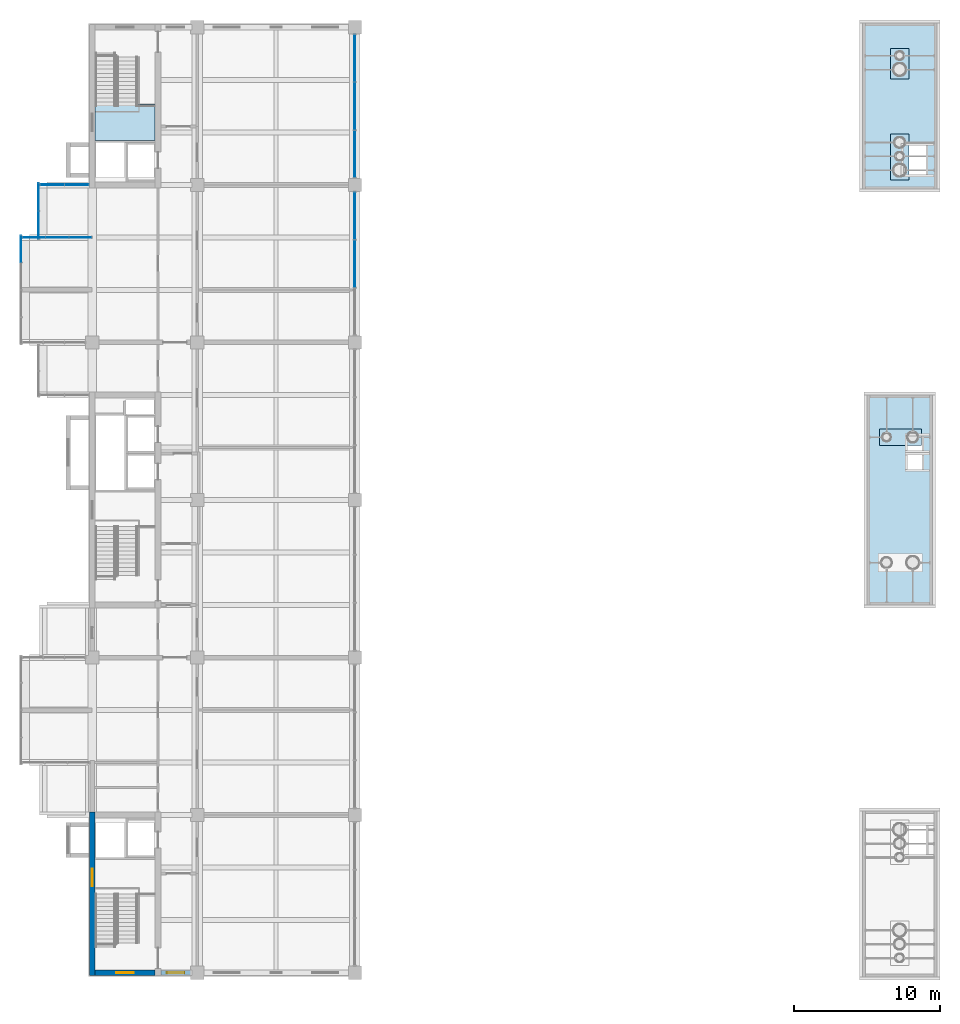
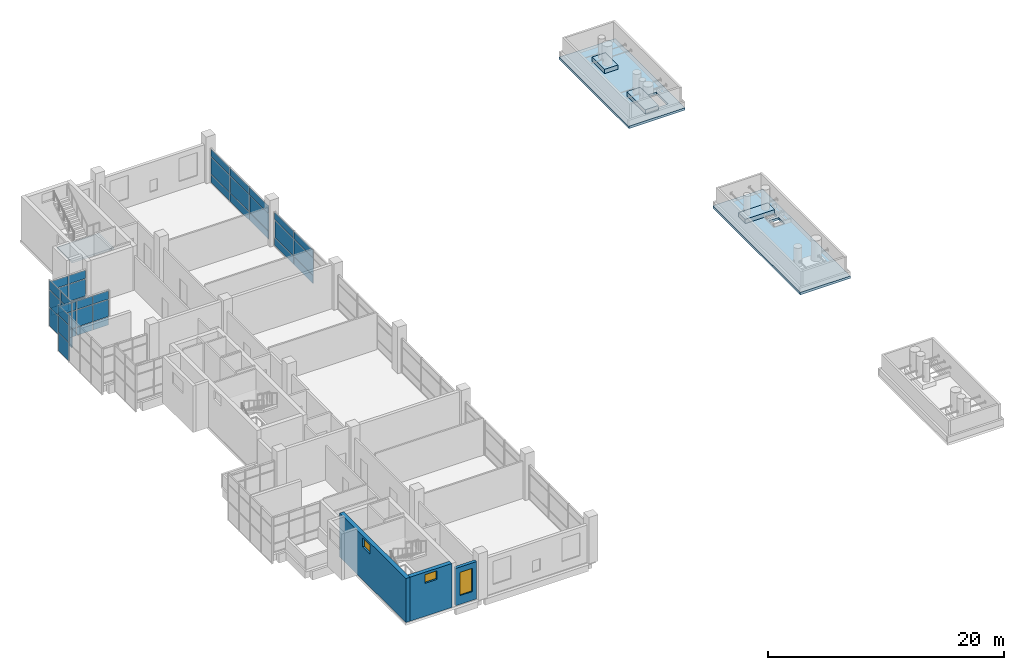
# One storey, part 13 of 22: 39 plates, 6 slabs, 3 walls, 3 windows, 3 openings, 7 elements without a shape of their own.
"""IFC4 building model written with IfcOpenShell, lengths in metres."""

from ifc_helpers import new_model, si_unit, direction, frame, frame_2d, origin, origin_2d, place, context, subcontext, project, spatial, polyline, rectangle, outline, extrude, material, layer, layer_set, type_object, element, fill, aggregate, save


model = new_model("IFC4")

# Units and contexts
model_context = context("Model", 3, precision=1e-05, world=origin(), true_north=direction((0.0, 1.0)))
body_context = subcontext(model_context, "Body", "Model", "MODEL_VIEW")
ifc_project = project(units=[si_unit("LENGTHUNIT", "METRE"), si_unit("AREAUNIT", "SQUARE_METRE"), si_unit("VOLUMEUNIT", "CUBIC_METRE"), si_unit("PLANEANGLEUNIT", "RADIAN"), si_unit("MASSUNIT", "GRAM", prefix="KILO")], contexts=[model_context])

# Site, building, storey
site_placement = place(None, origin())
site = spatial("IfcSite", under=ifc_project, at=site_placement, CompositionType="ELEMENT")
building_placement = place(site_placement, origin())
building = spatial("IfcBuilding", under=site, at=building_placement, Name="Basin Gate Institute", CompositionType="ELEMENT")
storey_placement = place(building_placement, frame((0.0, 0.0, 51.0)))
storey = spatial("IfcBuildingStorey", under=building, at=storey_placement, Name="L10", CompositionType="ELEMENT", Elevation=51.0)

# Slabs
ifc_material_1 = material(Name="Concrete 40 MPa", Category="concrete")
ifc_layer_1 = layer(ifc_material_1, 0.449951171875)
ifc_layer_set_1 = layer_set([ifc_layer_1], Name="Concrete 40 MPa")
slab_type_1 = type_object("IfcSlabType", Name="Exhaust pipe plinth PL4 R60", PredefinedType="ROOF", material=ifc_layer_set_1)
slab_1_placement = place(storey_placement, frame((0.0, 0.0, 0.25)))
element("IfcSlab", 1, at=slab_1_placement, inside=storey, type_object=slab_type_1, material=ifc_layer_set_1, Name="Exhaust pipe plinth PL4 EM 2", PredefinedType="ROOF", context=body_context, shape_type="SweptSolid", body=[
    extrude(outline(polyline([(115.14990234375, 71.22509765625), (118.02490234375, 71.22509765625), (118.02490234375, 72.375), (115.14990234375, 72.375), (115.14990234375, 71.22509765625)])), origin(), (0.0, 0.0, 1.0), 0.449951171875),
])
slab_2_placement = place(storey_placement, frame((0.0, 0.0, 0.25)))
element("IfcSlab", 2, at=slab_2_placement, inside=storey, type_object=slab_type_1, material=ifc_layer_set_1, Name="Exhaust pipe plinth PL4 EN 1", PredefinedType="ROOF", context=body_context, shape_type="SweptSolid", body=[
    extrude(outline(polyline([(115.89990234375, 89.449951171875), (117.199951171875, 89.449951171875), (117.199951171875, 92.574951171875), (115.89990234375, 92.574951171875), (115.89990234375, 89.449951171875)])), origin(), (0.0, 0.0, 1.0), 0.449951171875),
])
slab_3_placement = place(storey_placement, frame((0.0, 0.0, 0.25)))
element("IfcSlab", 3, at=slab_3_placement, inside=storey, type_object=slab_type_1, material=ifc_layer_set_1, Name="Exhaust pipe plinth PL4 EN 2", PredefinedType="ROOF", context=body_context, shape_type="SweptSolid", body=[
    extrude(outline(polyline([(115.89990234375, 96.35009765625), (117.199951171875, 96.35009765625), (117.199951171875, 98.449951171875), (115.89990234375, 98.449951171875), (115.89990234375, 96.35009765625)])), origin(), (0.0, 0.0, 1.0), 0.449951171875),
])

# Curtain wall, plates
ifc_material_2 = material(Name="Aluminium-framed glazing", Category="aluminium")
ifc_layer_2 = layer(ifc_material_2, 0.199951171875)
ifc_layer_set_2 = layer_set([ifc_layer_2], Name="Atrium curtain wall CW2")
curtain_wall_type_1 = type_object("IfcCurtainWallType", Name="Atrium curtain wall CW2", PredefinedType="NOTDEFINED", material=ifc_layer_set_2)
curtain_wall_1_placement = place(storey_placement, origin())
curtain_wall_1 = element("IfcCurtainWall", 4, at=curtain_wall_1_placement, inside=storey, type_object=curtain_wall_type_1, material=ifc_layer_set_2, Name="Atrium curtain wall W wing atrium bay 5 L10", PredefinedType="NOTDEFINED")
ifc_material_3 = material(Name="Aluminium insulated spandrel panel", Category="aluminium")
ifc_layer_3 = layer(ifc_material_3, 0.050048828125)
ifc_layer_set_3 = layer_set([ifc_layer_3], Name="Spandrel panel PN2")
plate_type_1 = type_object("IfcPlateType", Name="Spandrel panel PN2", PredefinedType="CURTAIN_PANEL", material=ifc_layer_set_3)
plate_1_placement = place(storey_placement, frame((79.199951171875, 83.699951171875, 0.06005859375), z_axis=(0.0, 0.0, 1.0), x_axis=(0.0, 1.0, 0.0)))
plate_1 = element("IfcPlate", 5, at=plate_1_placement, type_object=plate_type_1, material=ifc_layer_set_3, Name="CW2 spandrel panel 2.1", PredefinedType="CURTAIN_PANEL", context=body_context, shape_type="SweptSolid", body=[
    extrude(rectangle(XDim=3.239990234375, YDim=0.050048828125, at=origin_2d()), origin(), (0.0, 0.0, 1.0), 0.81005859375),
])
plate_2_placement = place(storey_placement, frame((79.199951171875, 83.699951171875, 2.72998046875), z_axis=(0.0, 0.0, 1.0), x_axis=(0.0, 1.0, 0.0)))
plate_2 = element("IfcPlate", 6, at=plate_2_placement, type_object=plate_type_1, material=ifc_layer_set_3, Name="CW2 spandrel panel 2.3", PredefinedType="CURTAIN_PANEL", context=body_context, shape_type="SweptSolid", body=[
    extrude(rectangle(XDim=3.239990234375, YDim=0.050048828125, at=origin_2d()), origin(), (0.0, 0.0, 1.0), 0.760009765625),
])
plate_3_placement = place(storey_placement, frame((79.199951171875, 86.985107421875, 0.06005859375), z_axis=(0.0, 0.0, 1.0), x_axis=(0.0, 1.0, 0.0)))
plate_3 = element("IfcPlate", 7, at=plate_3_placement, type_object=plate_type_1, material=ifc_layer_set_3, Name="CW2 spandrel panel 3.1", PredefinedType="CURTAIN_PANEL", context=body_context, shape_type="SweptSolid", body=[
    extrude(rectangle(XDim=3.2099609375, YDim=0.050048828125, at=origin_2d()), origin(), (0.0, 0.0, 1.0), 0.81005859375),
])
plate_4_placement = place(storey_placement, frame((79.199951171875, 86.985107421875, 2.72998046875), z_axis=(0.0, 0.0, 1.0), x_axis=(0.0, 1.0, 0.0)))
plate_4 = element("IfcPlate", 8, at=plate_4_placement, type_object=plate_type_1, material=ifc_layer_set_3, Name="CW2 spandrel panel 3.3", PredefinedType="CURTAIN_PANEL", context=body_context, shape_type="SweptSolid", body=[
    extrude(rectangle(XDim=3.2099609375, YDim=0.050048828125, at=origin_2d()), origin(), (0.0, 0.0, 1.0), 0.760009765625),
])

curtain_wall_2_placement = place(storey_placement, origin())
curtain_wall_2 = element("IfcCurtainWall", 9, at=curtain_wall_2_placement, inside=storey, type_object=curtain_wall_type_1, material=ifc_layer_set_2, Name="Atrium curtain wall W wing atrium bay 6 L10", PredefinedType="NOTDEFINED")
plate_5_placement = place(storey_placement, frame((79.199951171875, 91.215087890625, 0.06005859375), z_axis=(0.0, 0.0, 1.0), x_axis=(0.0, 1.0, 0.0)))
plate_5 = element("IfcPlate", 10, at=plate_5_placement, type_object=plate_type_1, material=ifc_layer_set_3, Name="CW2 spandrel panel 1.1", PredefinedType="CURTAIN_PANEL", context=body_context, shape_type="SweptSolid", body=[
    extrude(rectangle(XDim=3.2099609375, YDim=0.050048828125, at=origin_2d()), origin(), (0.0, 0.0, 1.0), 0.81005859375),
])
plate_6_placement = place(storey_placement, frame((79.199951171875, 91.215087890625, 2.72998046875), z_axis=(0.0, 0.0, 1.0), x_axis=(0.0, 1.0, 0.0)))
plate_6 = element("IfcPlate", 11, at=plate_6_placement, type_object=plate_type_1, material=ifc_layer_set_3, Name="CW2 spandrel panel 1.3", PredefinedType="CURTAIN_PANEL", context=body_context, shape_type="SweptSolid", body=[
    extrude(rectangle(XDim=3.2099609375, YDim=0.050048828125, at=origin_2d()), origin(), (0.0, 0.0, 1.0), 0.760009765625),
])
plate_7_placement = place(storey_placement, frame((79.199951171875, 94.5, 0.06005859375), z_axis=(0.0, 0.0, 1.0), x_axis=(0.0, 1.0, 0.0)))
plate_7 = element("IfcPlate", 12, at=plate_7_placement, type_object=plate_type_1, material=ifc_layer_set_3, Name="CW2 spandrel panel 2.1", PredefinedType="CURTAIN_PANEL", context=body_context, shape_type="SweptSolid", body=[
    extrude(rectangle(XDim=3.239990234375, YDim=0.050048828125, at=origin_2d()), origin(), (0.0, 0.0, 1.0), 0.81005859375),
])
plate_8_placement = place(storey_placement, frame((79.199951171875, 94.5, 2.72998046875), z_axis=(0.0, 0.0, 1.0), x_axis=(0.0, 1.0, 0.0)))
plate_8 = element("IfcPlate", 13, at=plate_8_placement, type_object=plate_type_1, material=ifc_layer_set_3, Name="CW2 spandrel panel 2.3", PredefinedType="CURTAIN_PANEL", context=body_context, shape_type="SweptSolid", body=[
    extrude(rectangle(XDim=3.239990234375, YDim=0.050048828125, at=origin_2d()), origin(), (0.0, 0.0, 1.0), 0.760009765625),
])
plate_9_placement = place(storey_placement, frame((79.199951171875, 97.784912109375, 0.06005859375), z_axis=(0.0, 0.0, 1.0), x_axis=(0.0, 1.0, 0.0)))
plate_9 = element("IfcPlate", 14, at=plate_9_placement, type_object=plate_type_1, material=ifc_layer_set_3, Name="CW2 spandrel panel 3.1", PredefinedType="CURTAIN_PANEL", context=body_context, shape_type="SweptSolid", body=[
    extrude(rectangle(XDim=3.2099609375, YDim=0.050048828125, at=origin_2d()), origin(), (0.0, 0.0, 1.0), 0.81005859375),
])
plate_10_placement = place(storey_placement, frame((79.199951171875, 97.784912109375, 2.72998046875), z_axis=(0.0, 0.0, 1.0), x_axis=(0.0, 1.0, 0.0)))
plate_10 = element("IfcPlate", 15, at=plate_10_placement, type_object=plate_type_1, material=ifc_layer_set_3, Name="CW2 spandrel panel 3.3", PredefinedType="CURTAIN_PANEL", context=body_context, shape_type="SweptSolid", body=[
    extrude(rectangle(XDim=3.2099609375, YDim=0.050048828125, at=origin_2d()), origin(), (0.0, 0.0, 1.0), 0.760009765625),
])

ifc_material_4 = material(Name="Aluminium-framed glazing", Category="aluminium")
ifc_layer_4 = layer(ifc_material_4, 0.14990234375)
ifc_layer_set_4 = layer_set([ifc_layer_4], Name="Capsule front curtain wall CW1")
curtain_wall_type_2 = type_object("IfcCurtainWallType", Name="Capsule front curtain wall CW1", PredefinedType="NOTDEFINED", material=ifc_layer_set_4)
curtain_wall_3_placement = place(storey_placement, origin())
curtain_wall_3 = element("IfcCurtainWall", 16, at=curtain_wall_3_placement, inside=storey, type_object=curtain_wall_type_2, material=ifc_layer_set_4, Name="Capsule front curtain wall W wing capsule end L10 line 15", PredefinedType="NOTDEFINED")
plate_11_placement = place(storey_placement, frame((57.21240234375, 85.5, 0.06005859375), z_axis=(0.0, 0.0, 1.0), x_axis=(1.0, 0.0, 0.0)))
plate_11 = element("IfcPlate", 17, at=plate_11_placement, type_object=plate_type_1, material=ifc_layer_set_3, Name="CW1 spandrel panel 1.1", PredefinedType="CURTAIN_PANEL", context=body_context, shape_type="SweptSolid", body=[
    extrude(rectangle(XDim=1.52490234375, YDim=0.050048828125, at=origin_2d()), origin(), (0.0, 0.0, 1.0), 0.81005859375),
])
plate_12_placement = place(storey_placement, frame((58.800048828125, 85.5, 0.06005859375), z_axis=(0.0, 0.0, 1.0), x_axis=(1.0, 0.0, 0.0)))
plate_12 = element("IfcPlate", 18, at=plate_12_placement, type_object=plate_type_1, material=ifc_layer_set_3, Name="CW1 spandrel panel 2.1", PredefinedType="CURTAIN_PANEL", context=body_context, shape_type="SweptSolid", body=[
    extrude(rectangle(XDim=1.550048828125, YDim=0.050048828125, at=origin_2d()), origin(), (0.0, 0.0, 1.0), 0.81005859375),
])
plate_13_placement = place(storey_placement, frame((60.387451171875, 85.5, 0.06005859375), z_axis=(0.0, 0.0, 1.0), x_axis=(1.0, 0.0, 0.0)))
plate_13 = element("IfcPlate", 19, at=plate_13_placement, type_object=plate_type_1, material=ifc_layer_set_3, Name="CW1 spandrel panel 3.1", PredefinedType="CURTAIN_PANEL", context=body_context, shape_type="SweptSolid", body=[
    extrude(rectangle(XDim=1.52490234375, YDim=0.050048828125, at=origin_2d()), origin(), (0.0, 0.0, 1.0), 0.81005859375),
])

curtain_wall_4_placement = place(storey_placement, origin())
curtain_wall_4 = element("IfcCurtainWall", 20, at=curtain_wall_4_placement, inside=storey, type_object=curtain_wall_type_2, material=ifc_layer_set_4, Name="Capsule front curtain wall W wing capsule end L10 line 16", PredefinedType="NOTDEFINED")
plate_14_placement = place(storey_placement, frame((58.46240234375, 89.10009765625, 0.06005859375), z_axis=(0.0, 0.0, 1.0), x_axis=(1.0, 0.0, 0.0)))
plate_14 = element("IfcPlate", 21, at=plate_14_placement, type_object=plate_type_1, material=ifc_layer_set_3, Name="CW1 spandrel panel 1.1", PredefinedType="CURTAIN_PANEL", context=body_context, shape_type="SweptSolid", body=[
    extrude(rectangle(XDim=1.625, YDim=0.050048828125, at=origin_2d()), origin(), (0.0, 0.0, 1.0), 0.81005859375),
])
plate_15_placement = place(storey_placement, frame((60.137451171875, 89.10009765625, 0.06005859375), z_axis=(0.0, 0.0, 1.0), x_axis=(1.0, 0.0, 0.0)))
plate_15 = element("IfcPlate", 22, at=plate_15_placement, type_object=plate_type_1, material=ifc_layer_set_3, Name="CW1 spandrel panel 2.1", PredefinedType="CURTAIN_PANEL", context=body_context, shape_type="SweptSolid", body=[
    extrude(rectangle(XDim=1.625, YDim=0.050048828125, at=origin_2d()), origin(), (0.0, 0.0, 1.0), 0.81005859375),
])

# Curtain wall, plate
curtain_wall_5_placement = place(storey_placement, origin())
curtain_wall_5 = element("IfcCurtainWall", 23, at=curtain_wall_5_placement, inside=storey, type_object=curtain_wall_type_2, material=ifc_layer_set_4, Name="Capsule front curtain wall W wing capsule 2 L10 front 2", PredefinedType="NOTDEFINED")
plate_16_placement = place(storey_placement, frame((56.324951171875, 84.699951171875, -0.990234375), z_axis=(0.0, 0.0, 1.0), x_axis=(0.0, 1.0, 0.0)))
plate_16 = element("IfcPlate", 24, at=plate_16_placement, type_object=plate_type_1, material=ifc_layer_set_3, Name="CW1 spandrel panel 4.1", PredefinedType="CURTAIN_PANEL", context=body_context, shape_type="SweptSolid", body=[
    extrude(rectangle(XDim=1.800048828125, YDim=0.050048828125, at=origin_2d()), origin(), (0.0, 0.0, 1.0), 1.860107421875),
])

# Curtain wall, plates
curtain_wall_6_placement = place(storey_placement, origin())
curtain_wall_6 = element("IfcCurtainWall", 25, at=curtain_wall_6_placement, inside=storey, type_object=curtain_wall_type_2, material=ifc_layer_set_4, Name="Capsule front curtain wall W wing capsule 2 L10 front 4", PredefinedType="NOTDEFINED")
plate_17_placement = place(storey_placement, frame((57.52490234375, 86.33740234375, -0.990234375), z_axis=(0.0, 0.0, 1.0), x_axis=(0.0, 1.0, 0.0)))
plate_17 = element("IfcPlate", 26, at=plate_17_placement, type_object=plate_type_1, material=ifc_layer_set_3, Name="CW1 spandrel panel 1.1", PredefinedType="CURTAIN_PANEL", context=body_context, shape_type="SweptSolid", body=[
    extrude(rectangle(XDim=1.875, YDim=0.050048828125, at=origin_2d()), origin(), (0.0, 0.0, 1.0), 1.860107421875),
])
plate_18_placement = place(storey_placement, frame((57.52490234375, 88.262451171875, -0.990234375), z_axis=(0.0, 0.0, 1.0), x_axis=(0.0, 1.0, 0.0)))
plate_18 = element("IfcPlate", 27, at=plate_18_placement, type_object=plate_type_1, material=ifc_layer_set_3, Name="CW1 spandrel panel 2.1", PredefinedType="CURTAIN_PANEL", context=body_context, shape_type="SweptSolid", body=[
    extrude(rectangle(XDim=1.875, YDim=0.050048828125, at=origin_2d()), origin(), (0.0, 0.0, 1.0), 1.860107421875),
])

# Slabs
ifc_material_5 = material(Name="Concrete 40 MPa", Category="concrete")
ifc_layer_5 = layer(ifc_material_5, 0.25)
ifc_layer_set_5 = layer_set([ifc_layer_5], Name="Concrete 40 MPa")
slab_type_2 = type_object("IfcSlabType", Name="Stack cap slab RS6 R60", PredefinedType="ROOF", material=ifc_layer_set_5)
slab_4_placement = place(storey_placement, origin())
element("IfcSlab", 28, at=slab_4_placement, inside=storey, type_object=slab_type_2, material=ifc_layer_set_5, Name="Stack cap slab RS6 EM", PredefinedType="ROOF", context=body_context, shape_type="SweptSolid", body=[
    extrude(outline(polyline([(119.0, 60.10009765625), (114.10009765625, 60.10009765625), (114.10009765625, 74.89990234375), (119.0, 74.89990234375), (119.0, 60.10009765625)]), holes=[polyline([(117.074951171875, 69.60009765625), (118.074951171875, 69.60009765625), (118.074951171875, 70.60009765625), (117.074951171875, 70.60009765625), (117.074951171875, 69.60009765625)]), polyline([(117.074951171875, 70.89990234375), (118.074951171875, 70.89990234375), (118.074951171875, 71.89990234375), (117.074951171875, 71.89990234375), (117.074951171875, 70.89990234375)])]), origin(), (0.0, 0.0, 1.0), 0.25),
])
slab_5_placement = place(storey_placement, origin())
element("IfcSlab", 29, at=slab_5_placement, inside=storey, type_object=slab_type_2, material=ifc_layer_set_5, Name="Stack cap slab RS6 EN", PredefinedType="ROOF", context=body_context, shape_type="SweptSolid", body=[
    extrude(outline(polyline([(119.300048828125, 88.60009765625), (113.800048828125, 88.60009765625), (113.800048828125, 100.39990234375), (119.300048828125, 100.39990234375), (119.300048828125, 88.60009765625)]), holes=[polyline([(116.800048828125, 89.800048828125), (118.35009765625, 89.800048828125), (118.35009765625, 91.800048828125), (116.800048828125, 91.800048828125), (116.800048828125, 89.800048828125)])]), origin(), (0.0, 0.0, 1.0), 0.25),
])

# Stair, slab
ifc_material_6 = material(Name="Concrete 40 MPa", Category="concrete")
stair_type = type_object("IfcStairType", Name="Stair ST", PredefinedType="HALF_TURN_STAIR", material=ifc_material_6)
stair_placement = place(storey_placement, origin())
stair = element("IfcStair", 30, at=stair_placement, inside=storey, type_object=stair_type, material=ifc_material_6, Name="Special safe stair ST-WN L10", PredefinedType="HALF_TURN_STAIR")
ifc_material_7 = material(Name="Concrete 40 MPa", Category="concrete")
ifc_layer_6 = layer(ifc_material_7, 0.199951171875)
ifc_layer_set_6 = layer_set([ifc_layer_6], Name="Concrete 40 MPa")
slab_type_3 = type_object("IfcSlabType", Name="Stair landing LN REI 120", PredefinedType="LANDING", material=ifc_layer_set_6)
slab_6_placement = place(storey_placement, frame((0.0, 0.0, 2.288818359375)))
slab_6 = element("IfcSlab", 31, at=slab_6_placement, type_object=slab_type_3, material=ifc_layer_set_6, Name="Stair landing ST-WN-L1 L10", PredefinedType="LANDING", context=body_context, shape_type="SweptSolid", body=[
    extrude(outline(polyline([(61.39990234375, 92.14990234375), (65.5, 92.14990234375), (65.5, 94.6298828125), (61.39990234375, 94.6298828125), (61.39990234375, 92.14990234375)])), origin(), (0.0, 0.0, 1.0), 0.199951171875),
])
aggregate(stair, [slab_6])

# Plate
ifc_material_8 = material(Name="Double glazed unit")
ifc_layer_7 = layer(ifc_material_8, 0.028076171875)
ifc_layer_set_7 = layer_set([ifc_layer_7], Name="Vision panel PN1")
plate_type_2 = type_object("IfcPlateType", Name="Vision panel PN1", PredefinedType="CURTAIN_PANEL", material=ifc_layer_set_7)
plate_19_placement = place(storey_placement, frame((79.199951171875, 83.699951171875, 0.93017578125), z_axis=(0.0, 0.0, 1.0), x_axis=(0.0, 1.0, 0.0)))
plate_19 = element("IfcPlate", 32, at=plate_19_placement, type_object=plate_type_2, material=ifc_layer_set_7, Name="CW2 vision panel 2.2", PredefinedType="CURTAIN_PANEL", context=body_context, shape_type="SweptSolid", body=[
    extrude(rectangle(XDim=3.239990234375, YDim=0.028076171875, at=origin_2d()), origin(), (0.0, 0.0, 1.0), 1.739990234375),
])

plate_20_placement = place(storey_placement, frame((79.199951171875, 86.985107421875, 0.93017578125), z_axis=(0.0, 0.0, 1.0), x_axis=(0.0, 1.0, 0.0)))
plate_20 = element("IfcPlate", 33, at=plate_20_placement, type_object=plate_type_2, material=ifc_layer_set_7, Name="CW2 vision panel 3.2", PredefinedType="CURTAIN_PANEL", context=body_context, shape_type="SweptSolid", body=[
    extrude(rectangle(XDim=3.2099609375, YDim=0.028076171875, at=origin_2d()), origin(), (0.0, 0.0, 1.0), 1.739990234375),
])

aggregate(curtain_wall_1, [plate_1, plate_19, plate_2, plate_3, plate_20, plate_4])

plate_21_placement = place(storey_placement, frame((79.199951171875, 91.215087890625, 0.93017578125), z_axis=(0.0, 0.0, 1.0), x_axis=(0.0, 1.0, 0.0)))
plate_21 = element("IfcPlate", 34, at=plate_21_placement, type_object=plate_type_2, material=ifc_layer_set_7, Name="CW2 vision panel 1.2", PredefinedType="CURTAIN_PANEL", context=body_context, shape_type="SweptSolid", body=[
    extrude(rectangle(XDim=3.2099609375, YDim=0.028076171875, at=origin_2d()), origin(), (0.0, 0.0, 1.0), 1.739990234375),
])

plate_22_placement = place(storey_placement, frame((79.199951171875, 94.5, 0.93017578125), z_axis=(0.0, 0.0, 1.0), x_axis=(0.0, 1.0, 0.0)))
plate_22 = element("IfcPlate", 35, at=plate_22_placement, type_object=plate_type_2, material=ifc_layer_set_7, Name="CW2 vision panel 2.2", PredefinedType="CURTAIN_PANEL", context=body_context, shape_type="SweptSolid", body=[
    extrude(rectangle(XDim=3.239990234375, YDim=0.028076171875, at=origin_2d()), origin(), (0.0, 0.0, 1.0), 1.739990234375),
])

plate_23_placement = place(storey_placement, frame((79.199951171875, 97.784912109375, 0.93017578125), z_axis=(0.0, 0.0, 1.0), x_axis=(0.0, 1.0, 0.0)))
plate_23 = element("IfcPlate", 36, at=plate_23_placement, type_object=plate_type_2, material=ifc_layer_set_7, Name="CW2 vision panel 3.2", PredefinedType="CURTAIN_PANEL", context=body_context, shape_type="SweptSolid", body=[
    extrude(rectangle(XDim=3.2099609375, YDim=0.028076171875, at=origin_2d()), origin(), (0.0, 0.0, 1.0), 1.739990234375),
])

aggregate(curtain_wall_2, [plate_5, plate_21, plate_6, plate_7, plate_22, plate_8, plate_9, plate_23, plate_10])

plate_24_placement = place(storey_placement, frame((57.21240234375, 85.5, 0.93017578125), z_axis=(0.0, 0.0, 1.0), x_axis=(1.0, 0.0, 0.0)))
plate_24 = element("IfcPlate", 37, at=plate_24_placement, type_object=plate_type_2, material=ifc_layer_set_7, Name="CW1 vision panel 1.2", PredefinedType="CURTAIN_PANEL", context=body_context, shape_type="SweptSolid", body=[
    extrude(rectangle(XDim=1.52490234375, YDim=0.028076171875, at=origin_2d()), origin(), (0.0, 0.0, 1.0), 1.739990234375),
])

plate_25_placement = place(storey_placement, frame((57.21240234375, 85.5, 2.72998046875), z_axis=(0.0, 0.0, 1.0), x_axis=(1.0, 0.0, 0.0)))
plate_25 = element("IfcPlate", 38, at=plate_25_placement, type_object=plate_type_2, material=ifc_layer_set_7, Name="CW1 vision panel 1.3", PredefinedType="CURTAIN_PANEL", context=body_context, shape_type="SweptSolid", body=[
    extrude(rectangle(XDim=1.52490234375, YDim=0.028076171875, at=origin_2d()), origin(), (0.0, 0.0, 1.0), 0.860107421875),
])

plate_26_placement = place(storey_placement, frame((58.800048828125, 85.5, 0.93017578125), z_axis=(0.0, 0.0, 1.0), x_axis=(1.0, 0.0, 0.0)))
plate_26 = element("IfcPlate", 39, at=plate_26_placement, type_object=plate_type_2, material=ifc_layer_set_7, Name="CW1 vision panel 2.2", PredefinedType="CURTAIN_PANEL", context=body_context, shape_type="SweptSolid", body=[
    extrude(rectangle(XDim=1.550048828125, YDim=0.028076171875, at=origin_2d()), origin(), (0.0, 0.0, 1.0), 1.739990234375),
])

plate_27_placement = place(storey_placement, frame((58.800048828125, 85.5, 2.72998046875), z_axis=(0.0, 0.0, 1.0), x_axis=(1.0, 0.0, 0.0)))
plate_27 = element("IfcPlate", 40, at=plate_27_placement, type_object=plate_type_2, material=ifc_layer_set_7, Name="CW1 vision panel 2.3", PredefinedType="CURTAIN_PANEL", context=body_context, shape_type="SweptSolid", body=[
    extrude(rectangle(XDim=1.550048828125, YDim=0.028076171875, at=origin_2d()), origin(), (0.0, 0.0, 1.0), 0.860107421875),
])

plate_28_placement = place(storey_placement, frame((60.387451171875, 85.5, 0.93017578125), z_axis=(0.0, 0.0, 1.0), x_axis=(1.0, 0.0, 0.0)))
plate_28 = element("IfcPlate", 41, at=plate_28_placement, type_object=plate_type_2, material=ifc_layer_set_7, Name="CW1 vision panel 3.2", PredefinedType="CURTAIN_PANEL", context=body_context, shape_type="SweptSolid", body=[
    extrude(rectangle(XDim=1.52490234375, YDim=0.028076171875, at=origin_2d()), origin(), (0.0, 0.0, 1.0), 1.739990234375),
])

plate_29_placement = place(storey_placement, frame((60.387451171875, 85.5, 2.72998046875), z_axis=(0.0, 0.0, 1.0), x_axis=(1.0, 0.0, 0.0)))
plate_29 = element("IfcPlate", 42, at=plate_29_placement, type_object=plate_type_2, material=ifc_layer_set_7, Name="CW1 vision panel 3.3", PredefinedType="CURTAIN_PANEL", context=body_context, shape_type="SweptSolid", body=[
    extrude(rectangle(XDim=1.52490234375, YDim=0.028076171875, at=origin_2d()), origin(), (0.0, 0.0, 1.0), 0.860107421875),
])

aggregate(curtain_wall_3, [plate_11, plate_24, plate_25, plate_12, plate_26, plate_27, plate_13, plate_28, plate_29])

plate_30_placement = place(storey_placement, frame((58.46240234375, 89.10009765625, 0.93017578125), z_axis=(0.0, 0.0, 1.0), x_axis=(1.0, 0.0, 0.0)))
plate_30 = element("IfcPlate", 43, at=plate_30_placement, type_object=plate_type_2, material=ifc_layer_set_7, Name="CW1 vision panel 1.2", PredefinedType="CURTAIN_PANEL", context=body_context, shape_type="SweptSolid", body=[
    extrude(rectangle(XDim=1.625, YDim=0.028076171875, at=origin_2d()), origin(), (0.0, 0.0, 1.0), 1.739990234375),
])

plate_31_placement = place(storey_placement, frame((58.46240234375, 89.10009765625, 2.72998046875), z_axis=(0.0, 0.0, 1.0), x_axis=(1.0, 0.0, 0.0)))
plate_31 = element("IfcPlate", 44, at=plate_31_placement, type_object=plate_type_2, material=ifc_layer_set_7, Name="CW1 vision panel 1.3", PredefinedType="CURTAIN_PANEL", context=body_context, shape_type="SweptSolid", body=[
    extrude(rectangle(XDim=1.625, YDim=0.028076171875, at=origin_2d()), origin(), (0.0, 0.0, 1.0), 0.860107421875),
])

plate_32_placement = place(storey_placement, frame((60.137451171875, 89.10009765625, 0.93017578125), z_axis=(0.0, 0.0, 1.0), x_axis=(1.0, 0.0, 0.0)))
plate_32 = element("IfcPlate", 45, at=plate_32_placement, type_object=plate_type_2, material=ifc_layer_set_7, Name="CW1 vision panel 2.2", PredefinedType="CURTAIN_PANEL", context=body_context, shape_type="SweptSolid", body=[
    extrude(rectangle(XDim=1.625, YDim=0.028076171875, at=origin_2d()), origin(), (0.0, 0.0, 1.0), 1.739990234375),
])

plate_33_placement = place(storey_placement, frame((60.137451171875, 89.10009765625, 2.72998046875), z_axis=(0.0, 0.0, 1.0), x_axis=(1.0, 0.0, 0.0)))
plate_33 = element("IfcPlate", 46, at=plate_33_placement, type_object=plate_type_2, material=ifc_layer_set_7, Name="CW1 vision panel 2.3", PredefinedType="CURTAIN_PANEL", context=body_context, shape_type="SweptSolid", body=[
    extrude(rectangle(XDim=1.625, YDim=0.028076171875, at=origin_2d()), origin(), (0.0, 0.0, 1.0), 0.860107421875),
])

aggregate(curtain_wall_4, [plate_14, plate_30, plate_31, plate_15, plate_32, plate_33])

plate_34_placement = place(storey_placement, frame((56.324951171875, 84.699951171875, 0.93017578125), z_axis=(0.0, 0.0, 1.0), x_axis=(0.0, 1.0, 0.0)))
plate_34 = element("IfcPlate", 47, at=plate_34_placement, type_object=plate_type_2, material=ifc_layer_set_7, Name="CW1 vision panel 4.2", PredefinedType="CURTAIN_PANEL", context=body_context, shape_type="SweptSolid", body=[
    extrude(rectangle(XDim=1.800048828125, YDim=0.028076171875, at=origin_2d()), origin(), (0.0, 0.0, 1.0), 1.739990234375),
])

plate_35_placement = place(storey_placement, frame((56.324951171875, 84.699951171875, 2.72998046875), z_axis=(0.0, 0.0, 1.0), x_axis=(0.0, 1.0, 0.0)))
plate_35 = element("IfcPlate", 48, at=plate_35_placement, type_object=plate_type_2, material=ifc_layer_set_7, Name="CW1 vision panel 4.3", PredefinedType="CURTAIN_PANEL", context=body_context, shape_type="SweptSolid", body=[
    extrude(rectangle(XDim=1.800048828125, YDim=0.028076171875, at=origin_2d()), origin(), (0.0, 0.0, 1.0), 0.9599609375),
])

aggregate(curtain_wall_5, [plate_16, plate_34, plate_35])

plate_36_placement = place(storey_placement, frame((57.52490234375, 86.33740234375, 0.93017578125), z_axis=(0.0, 0.0, 1.0), x_axis=(0.0, 1.0, 0.0)))
plate_36 = element("IfcPlate", 49, at=plate_36_placement, type_object=plate_type_2, material=ifc_layer_set_7, Name="CW1 vision panel 1.2", PredefinedType="CURTAIN_PANEL", context=body_context, shape_type="SweptSolid", body=[
    extrude(rectangle(XDim=1.875, YDim=0.028076171875, at=origin_2d()), origin(), (0.0, 0.0, 1.0), 1.739990234375),
])

plate_37_placement = place(storey_placement, frame((57.52490234375, 86.33740234375, 2.72998046875), z_axis=(0.0, 0.0, 1.0), x_axis=(0.0, 1.0, 0.0)))
plate_37 = element("IfcPlate", 50, at=plate_37_placement, type_object=plate_type_2, material=ifc_layer_set_7, Name="CW1 vision panel 1.3", PredefinedType="CURTAIN_PANEL", context=body_context, shape_type="SweptSolid", body=[
    extrude(rectangle(XDim=1.875, YDim=0.028076171875, at=origin_2d()), origin(), (0.0, 0.0, 1.0), 0.9599609375),
])

plate_38_placement = place(storey_placement, frame((57.52490234375, 88.262451171875, 0.93017578125), z_axis=(0.0, 0.0, 1.0), x_axis=(0.0, 1.0, 0.0)))
plate_38 = element("IfcPlate", 51, at=plate_38_placement, type_object=plate_type_2, material=ifc_layer_set_7, Name="CW1 vision panel 2.2", PredefinedType="CURTAIN_PANEL", context=body_context, shape_type="SweptSolid", body=[
    extrude(rectangle(XDim=1.875, YDim=0.028076171875, at=origin_2d()), origin(), (0.0, 0.0, 1.0), 1.739990234375),
])

plate_39_placement = place(storey_placement, frame((57.52490234375, 88.262451171875, 2.72998046875), z_axis=(0.0, 0.0, 1.0), x_axis=(0.0, 1.0, 0.0)))
plate_39 = element("IfcPlate", 52, at=plate_39_placement, type_object=plate_type_2, material=ifc_layer_set_7, Name="CW1 vision panel 2.3", PredefinedType="CURTAIN_PANEL", context=body_context, shape_type="SweptSolid", body=[
    extrude(rectangle(XDim=1.875, YDim=0.028076171875, at=origin_2d()), origin(), (0.0, 0.0, 1.0), 0.9599609375),
])

aggregate(curtain_wall_6, [plate_17, plate_36, plate_37, plate_18, plate_38, plate_39])

# Wall, opening, window
ifc_material_9 = material(Name="Aluminium-faced insulated panel wall", Category="aluminium")
ifc_layer_8 = layer(ifc_material_9, 0.300048828125)
ifc_layer_set_8 = layer_set([ifc_layer_8], Name="External wall EW1 EI 120")
wall_type_1 = type_object("IfcWallType", Name="External wall EW1 EI 120", PredefinedType="STANDARD", material=ifc_layer_set_8)
wall_1_placement = place(storey_placement, frame((65.89990234375, 35.10009765625, 0.0), z_axis=(0.0, 0.0, 1.0), x_axis=(1.0, 0.0, 0.0)))
wall_1 = element("IfcWall", 53, at=wall_1_placement, inside=storey, type_object=wall_type_1, material=ifc_layer_set_8, Name="External end wall W wing south L10 1", PredefinedType="STANDARD", context=body_context, shape_type="SweptSolid", body=[
    extrude(rectangle(XDim=2.050048828125, YDim=0.300048828125, at=frame_2d((1.02490234375, 0.0))), origin(), (0.0, 0.0, 1.0), 3.85009765625),
])
opening_1_placement = place(wall_1_placement, frame((0.425048828125, 0.0, 0.89990234375)))
opening_1 = element("IfcOpeningElement", 54, at=opening_1_placement, cuts=wall_1, Name="Opening WN4", PredefinedType="OPENING", context=body_context, shape_type="SweptSolid", body=[
    extrude(rectangle(XDim=1.199951171875, YDim=2.39990234375, at=frame_2d((0.60009765625, 1.199951171875))), frame((0.0, 0.16015625, 0.0), z_axis=(0.0, -1.0, 0.0), x_axis=(1.0, 0.0, 0.0)), (0.0, 0.0, 1.0), 0.320068359375),
])
ifc_material_10 = material(Name="Aluminium-framed double glazing", Category="aluminium")
window_type_1 = type_object("IfcWindowType", Name="Corridor end window WN4", PartitioningType="SINGLE_PANEL", PredefinedType="WINDOW", material=ifc_material_10)
window_1_placement = place(opening_1_placement, origin())
window_1 = element("IfcWindow", 55, at=window_1_placement, inside=storey, type_object=window_type_1, material=ifc_material_10, Name="Corridor end window W wing S L10", OverallHeight=2.39990234375, OverallWidth=1.199951171875, PartitioningType="SINGLE_PANEL", PredefinedType="WINDOW", context=body_context, shape_type="SweptSolid", body=[
    extrude(rectangle(XDim=1.199951171875, YDim=2.39990234375, at=frame_2d((0.60009765625, 1.199951171875))), frame((0.0, 0.030029296875, 0.0), z_axis=(0.0, -1.0, 0.0), x_axis=(1.0, 0.0, 0.0)), (0.0, 0.0, 1.0), 0.06005859375),
])
fill(opening_1, window_1)

ifc_material_11 = material(Name="Concrete 50 MPa", Category="concrete")
ifc_layer_9 = layer(ifc_material_11, 0.39990234375)
ifc_layer_set_9 = layer_set([ifc_layer_9], Name="Concrete 50 MPa")
wall_type_2 = type_object("IfcWallType", Name="Wall SW2 R120", PredefinedType="SHEAR", material=ifc_layer_set_9)
wall_2_placement = place(storey_placement, frame((61.199951171875, 34.89990234375, 0.0), z_axis=(0.0, 0.0, 1.0), x_axis=(0.0, 1.0, 0.0)))
wall_2 = element("IfcWall", 56, at=wall_2_placement, inside=storey, type_object=wall_type_2, material=ifc_layer_set_9, Name="WALL/L10/WS/L", PredefinedType="SHEAR", context=body_context, shape_type="SweptSolid", body=[
    extrude(rectangle(XDim=11.2001953125, YDim=0.39990234375, at=frame_2d((5.60009765625, 0.0))), origin(), (0.0, 0.0, 1.0), 4.550048828125),
])
opening_2_placement = place(wall_2_placement, frame((6.110107421875, 0.0, 3.39990234375)))
opening_2 = element("IfcOpeningElement", 57, at=opening_2_placement, cuts=wall_2, Name="Opening WT2", PredefinedType="OPENING", context=body_context, shape_type="SweptSolid", body=[
    extrude(rectangle(XDim=1.199951171875, YDim=0.89990234375, at=frame_2d((0.60009765625, 0.449951171875))), frame((0.0, 0.2099609375, 0.0), z_axis=(0.0, -1.0, 0.0), x_axis=(1.0, 0.0, 0.0)), (0.0, 0.0, 1.0), 0.419921875),
])
ifc_material_12 = material(Name="Fire-resistant glazing in steel-free frame", Category="steel")
window_type_2 = type_object("IfcWindowType", Name="Rated stair window EI 120 WT2", PartitioningType="SINGLE_PANEL", PredefinedType="WINDOW", material=ifc_material_12)
window_2_placement = place(opening_2_placement, origin())
window_2 = element("IfcWindow", 58, at=window_2_placement, inside=storey, type_object=window_type_2, material=ifc_material_12, Name="Rated stair window EI 120 WS landing L10", OverallHeight=0.89990234375, OverallWidth=1.199951171875, PartitioningType="SINGLE_PANEL", PredefinedType="WINDOW", context=body_context, shape_type="SweptSolid", body=[
    extrude(rectangle(XDim=1.199951171875, YDim=0.89990234375, at=frame_2d((0.60009765625, 0.449951171875))), frame((0.0, 0.030029296875, 0.0), z_axis=(0.0, -1.0, 0.0), x_axis=(1.0, 0.0, 0.0)), (0.0, 0.0, 1.0), 0.06005859375),
])
fill(opening_2, window_2)

wall_3_placement = place(storey_placement, frame((61.39990234375, 35.10009765625, 0.0), z_axis=(0.0, 0.0, 1.0), x_axis=(1.0, 0.0, 0.0)))
wall_3 = element("IfcWall", 59, at=wall_3_placement, inside=storey, type_object=wall_type_2, material=ifc_layer_set_9, Name="WALL/L10/WS/S", PredefinedType="SHEAR", context=body_context, shape_type="SweptSolid", body=[
    extrude(rectangle(XDim=4.10009765625, YDim=0.39990234375, at=frame_2d((2.050048828125, 0.0))), origin(), (0.0, 0.0, 1.0), 4.550048828125),
])
opening_3_placement = place(wall_3_placement, frame((1.449951171875, 0.0, 3.39990234375)))
opening_3 = element("IfcOpeningElement", 60, at=opening_3_placement, cuts=wall_3, Name="Opening WT2", PredefinedType="OPENING", context=body_context, shape_type="SweptSolid", body=[
    extrude(rectangle(XDim=1.199951171875, YDim=0.89990234375, at=frame_2d((0.60009765625, 0.449951171875))), frame((0.0, 0.2099609375, 0.0), z_axis=(0.0, -1.0, 0.0), x_axis=(1.0, 0.0, 0.0)), (0.0, 0.0, 1.0), 0.419921875),
])
window_3_placement = place(opening_3_placement, origin())
window_3 = element("IfcWindow", 61, at=window_3_placement, inside=storey, type_object=window_type_2, material=ifc_material_12, Name="Rated stair window EI 120 WS end L10", OverallHeight=0.89990234375, OverallWidth=1.199951171875, PartitioningType="SINGLE_PANEL", PredefinedType="WINDOW", context=body_context, shape_type="SweptSolid", body=[
    extrude(rectangle(XDim=1.199951171875, YDim=0.89990234375, at=frame_2d((0.60009765625, 0.449951171875))), frame((0.0, 0.030029296875, 0.0), z_axis=(0.0, -1.0, 0.0), x_axis=(1.0, 0.0, 0.0)), (0.0, 0.0, 1.0), 0.06005859375),
])
fill(opening_3, window_3)

save(model, "model.ifc")
